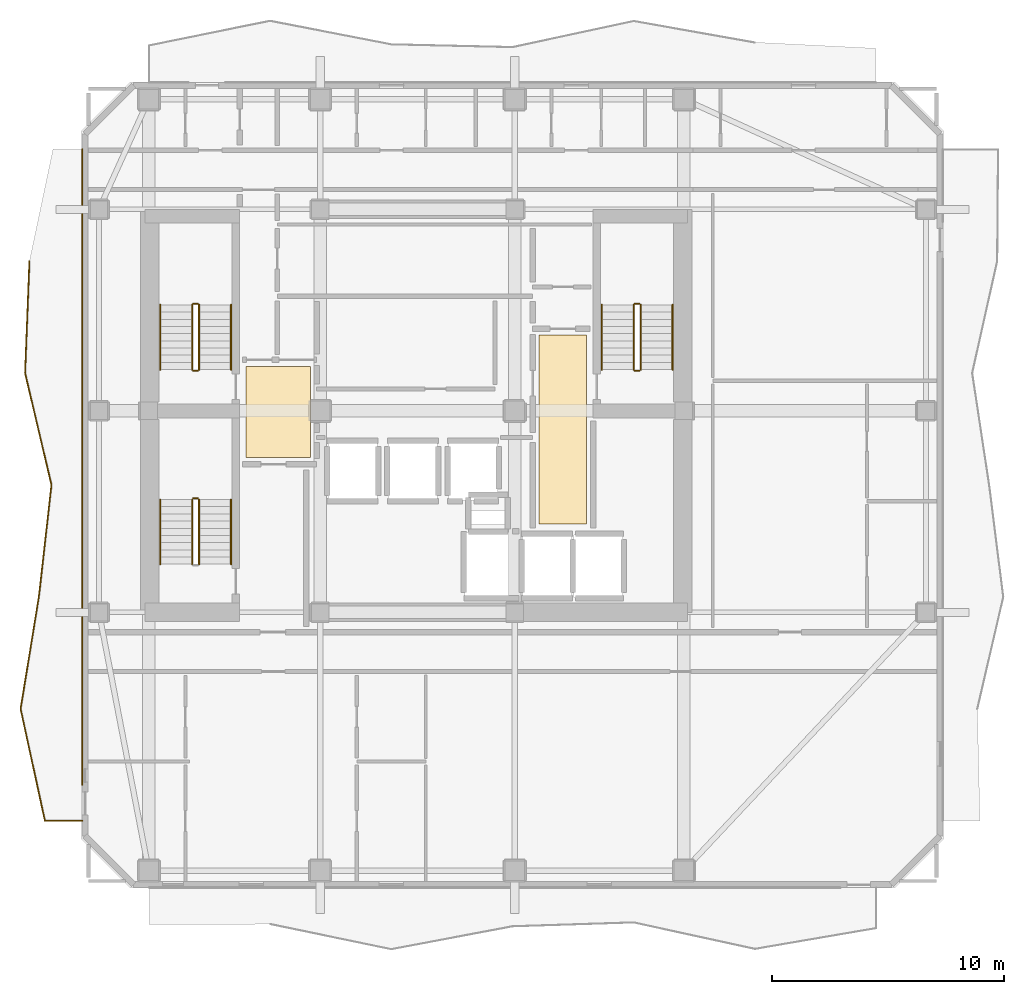
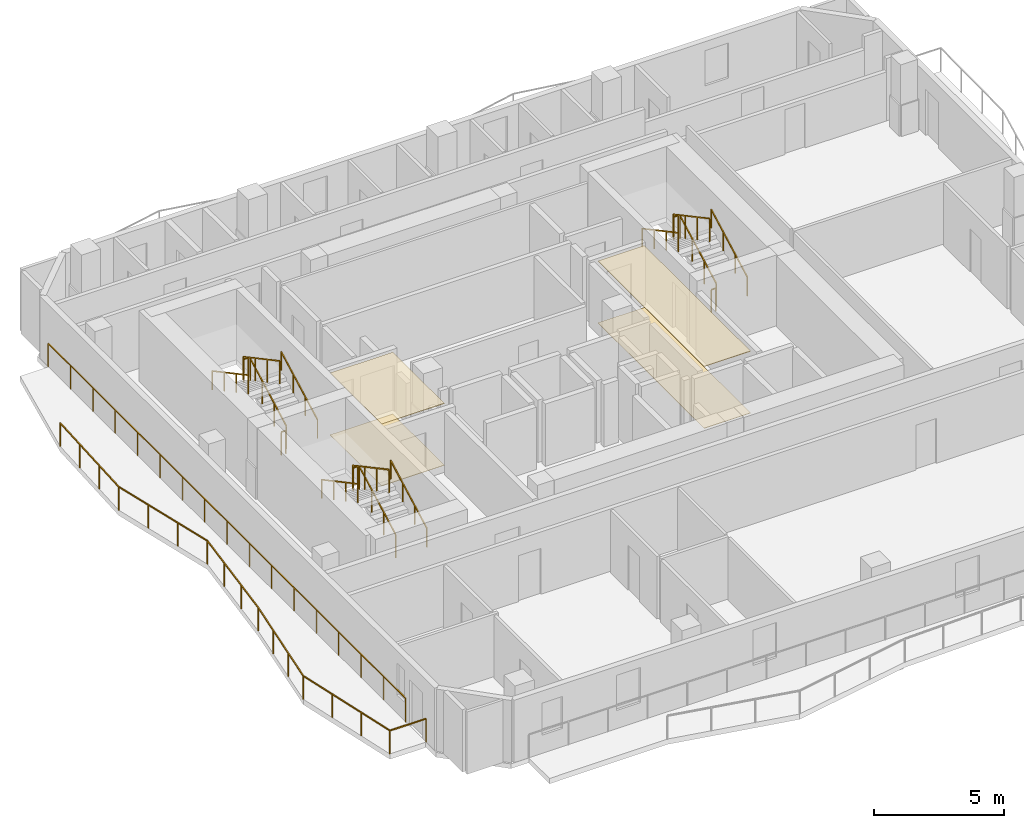
# One storey, part 8 of 9: 19 railings, 4 coverings.
"""IFC4 building model written with IfcOpenShell, lengths in metres."""

from ifc_helpers import new_model, si_unit, direction, frame, origin, origin_2d, place, context, subcontext, project, spatial, polyline, rectangle, outline, extrude, material, layer, layer_set, type_object, element, save


model = new_model("IFC4")

# Units and contexts
model_context = context("Model", 3, precision=1e-05, world=origin(), true_north=direction((0.0, 1.0)))
body_context = subcontext(model_context, "Body", "Model", "MODEL_VIEW")
ifc_project = project(units=[si_unit("LENGTHUNIT", "METRE"), si_unit("AREAUNIT", "SQUARE_METRE"), si_unit("VOLUMEUNIT", "CUBIC_METRE"), si_unit("PLANEANGLEUNIT", "RADIAN"), si_unit("MASSUNIT", "GRAM", prefix="KILO")], contexts=[model_context])

# Site, building, storey
site_placement = place(None, origin())
site = spatial("IfcSite", under=ifc_project, at=site_placement, CompositionType="ELEMENT")
building_placement = place(site_placement, origin())
building = spatial("IfcBuilding", under=site, at=building_placement, Name="Solanera Arch Residences", CompositionType="ELEMENT")
storey_placement = place(building_placement, frame((0.0, 0.0, 223.360107421875)))
storey = spatial("IfcBuildingStorey", under=building, at=storey_placement, Name="L65", CompositionType="ELEMENT", Elevation=223.360107421875)

# Railings
ifc_material_1 = material(Name="Steel S355 (ASTM A992 / A572 Grade 50)", Category="steel")
railing_type_1 = type_object("IfcRailingType", Name="Balustrade Railing BL-1100", PredefinedType="BALUSTRADE", material=ifc_material_1)
railing_1_placement = place(storey_placement, frame((8.24609375, 37.1669921875, 0.0)))
element("IfcRailing", 1, at=railing_1_placement, inside=storey, type_object=railing_type_1, Name="L65 W Balcony Balustrade 1", PredefinedType="BALUSTRADE", context=body_context, shape_type="SweptSolid", body=[
    extrude(rectangle(XDim=0.048095703125, YDim=0.048095703125, at=origin_2d()), frame((0.0, 0.0, 1.09619140625), z_axis=(-0.03885951548, -0.999244683777, 0.0), x_axis=(0.999244683777, -0.03885951548, 0.0)), (0.0, 0.0, 1.0), 4.837646484375),
    extrude(rectangle(XDim=0.048095703125, YDim=0.048095703125, at=origin_2d()), frame((-0.18798828125, -4.833984375, 1.09619140625), z_axis=(0.229370925513, -0.973339087127, 0.0), x_axis=(0.973339087127, 0.229370925513, 0.0)), (0.0, 0.0, 1.0), 4.96533203125),
    extrude(rectangle(XDim=0.048095703125, YDim=0.048095703125, at=origin_2d()), frame((0.950927734375, -9.6669921875, 1.09619140625), z_axis=(-0.111841865337, -0.993726017149, 0.0), x_axis=(0.993726017149, -0.111841865337, 0.0)), (0.0, 0.0, 1.0), 4.863525390625),
    extrude(rectangle(XDim=0.048095703125, YDim=0.048095703125, at=origin_2d()), frame((0.406982421875, -14.5, 1.09619140625), z_axis=(-0.161100191915, -0.986938056904, 0.0), x_axis=(0.986938056904, -0.161100191915, 0.0)), (0.0, 0.0, 1.0), 4.89794921875),
    extrude(rectangle(XDim=0.048095703125, YDim=0.048095703125, at=origin_2d()), frame((-0.382080078125, -19.333984375, 1.09619140625), z_axis=(0.212501369442, -0.977160768751, 0.0), x_axis=(0.977160768751, 0.212501369442, 0.0)), (0.0, 0.0, 1.0), 4.946044921875),
    extrude(rectangle(XDim=0.048095703125, YDim=0.048095703125, at=origin_2d()), frame((0.6689453125, -24.1669921875, 1.09619140625), z_axis=(1.0, 0.0, 0.0), x_axis=(0.0, 1.0, 0.0)), (0.0, 0.0, 1.0), 1.60498046875),
    extrude(rectangle(XDim=0.0419921875, YDim=0.0419921875, at=origin_2d()), origin(), (0.0, 0.0, 1.0), 1.072021484375),
    extrude(rectangle(XDim=0.0419921875, YDim=0.0419921875, at=origin_2d()), frame((-0.062744140625, -1.611328125, 0.0)), (0.0, 0.0, 1.0), 1.072021484375),
    extrude(rectangle(XDim=0.0419921875, YDim=0.0419921875, at=origin_2d()), frame((-0.125244140625, -3.22265625, 0.0)), (0.0, 0.0, 1.0), 1.072021484375),
    extrude(rectangle(XDim=0.0419921875, YDim=0.0419921875, at=origin_2d()), frame((-0.18798828125, -4.833984375, 0.0)), (0.0, 0.0, 1.0), 1.072021484375),
    extrude(rectangle(XDim=0.0419921875, YDim=0.0419921875, at=origin_2d()), frame((0.191650390625, -6.445068359375, 0.0)), (0.0, 0.0, 1.0), 1.072021484375),
    extrude(rectangle(XDim=0.0419921875, YDim=0.0419921875, at=origin_2d()), frame((0.5712890625, -8.055908203125, 0.0)), (0.0, 0.0, 1.0), 1.072021484375),
    extrude(rectangle(XDim=0.0419921875, YDim=0.0419921875, at=origin_2d()), frame((0.950927734375, -9.6669921875, 0.0)), (0.0, 0.0, 1.0), 1.072021484375),
    extrude(rectangle(XDim=0.0419921875, YDim=0.0419921875, at=origin_2d()), frame((0.76953125, -11.278076171875, 0.0)), (0.0, 0.0, 1.0), 1.072021484375),
    extrude(rectangle(XDim=0.0419921875, YDim=0.0419921875, at=origin_2d()), frame((0.58837890625, -12.888916015625, 0.0)), (0.0, 0.0, 1.0), 1.072021484375),
    extrude(rectangle(XDim=0.0419921875, YDim=0.0419921875, at=origin_2d()), frame((0.406982421875, -14.5, 0.0)), (0.0, 0.0, 1.0), 1.072021484375),
    extrude(rectangle(XDim=0.0419921875, YDim=0.0419921875, at=origin_2d()), frame((0.14404296875, -16.111328125, 0.0)), (0.0, 0.0, 1.0), 1.072021484375),
    extrude(rectangle(XDim=0.0419921875, YDim=0.0419921875, at=origin_2d()), frame((-0.119140625, -17.72265625, 0.0)), (0.0, 0.0, 1.0), 1.072021484375),
    extrude(rectangle(XDim=0.0419921875, YDim=0.0419921875, at=origin_2d()), frame((-0.382080078125, -19.333984375, 0.0)), (0.0, 0.0, 1.0), 1.072021484375),
    extrude(rectangle(XDim=0.0419921875, YDim=0.0419921875, at=origin_2d()), frame((-0.03173828125, -20.945068359375, 0.0)), (0.0, 0.0, 1.0), 1.072021484375),
    extrude(rectangle(XDim=0.0419921875, YDim=0.0419921875, at=origin_2d()), frame((0.318603515625, -22.555908203125, 0.0)), (0.0, 0.0, 1.0), 1.072021484375),
    extrude(rectangle(XDim=0.0419921875, YDim=0.0419921875, at=origin_2d()), frame((0.6689453125, -24.1669921875, 0.0)), (0.0, 0.0, 1.0), 1.072021484375),
    extrude(rectangle(XDim=0.0419921875, YDim=0.0419921875, at=origin_2d()), frame((2.27392578125, -24.1669921875, 0.0)), (0.0, 0.0, 1.0), 1.072021484375),
])
railing_2_placement = place(storey_placement, frame((10.52001953125, 14.554931640625, 0.0)))
element("IfcRailing", 2, at=railing_2_placement, inside=storey, type_object=railing_type_1, Name="L65 W Balcony Balustrade 2", PredefinedType="BALUSTRADE", context=body_context, shape_type="SweptSolid", body=[
    extrude(rectangle(XDim=0.048095703125, YDim=0.048095703125, at=origin_2d()), frame((0.0, 0.0, 1.09619140625), z_axis=(0.0, 1.0, 0.0), x_axis=(-1.0, 0.0, 0.0)), (0.0, 0.0, 1.0), 27.445068359375),
    extrude(rectangle(XDim=0.0419921875, YDim=0.0419921875, at=origin_2d()), origin(), (0.0, 0.0, 1.0), 1.072021484375),
    extrude(rectangle(XDim=0.0419921875, YDim=0.0419921875, at=origin_2d()), frame((0.0, 1.71533203125, 0.0)), (0.0, 0.0, 1.0), 1.072021484375),
    extrude(rectangle(XDim=0.0419921875, YDim=0.0419921875, at=origin_2d()), frame((0.0, 3.4306640625, 0.0)), (0.0, 0.0, 1.0), 1.072021484375),
    extrude(rectangle(XDim=0.0419921875, YDim=0.0419921875, at=origin_2d()), frame((0.0, 5.14599609375, 0.0)), (0.0, 0.0, 1.0), 1.072021484375),
    extrude(rectangle(XDim=0.0419921875, YDim=0.0419921875, at=origin_2d()), frame((0.0, 6.861328125, 0.0)), (0.0, 0.0, 1.0), 1.072021484375),
    extrude(rectangle(XDim=0.0419921875, YDim=0.0419921875, at=origin_2d()), frame((0.0, 8.57666015625, 0.0)), (0.0, 0.0, 1.0), 1.072021484375),
    extrude(rectangle(XDim=0.0419921875, YDim=0.0419921875, at=origin_2d()), frame((0.0, 10.2919921875, 0.0)), (0.0, 0.0, 1.0), 1.072021484375),
    extrude(rectangle(XDim=0.0419921875, YDim=0.0419921875, at=origin_2d()), frame((0.0, 12.00732421875, 0.0)), (0.0, 0.0, 1.0), 1.072021484375),
    extrude(rectangle(XDim=0.0419921875, YDim=0.0419921875, at=origin_2d()), frame((0.0, 13.72265625, 0.0)), (0.0, 0.0, 1.0), 1.072021484375),
    extrude(rectangle(XDim=0.0419921875, YDim=0.0419921875, at=origin_2d()), frame((0.0, 15.437744140625, 0.0)), (0.0, 0.0, 1.0), 1.072021484375),
    extrude(rectangle(XDim=0.0419921875, YDim=0.0419921875, at=origin_2d()), frame((0.0, 17.153076171875, 0.0)), (0.0, 0.0, 1.0), 1.072021484375),
    extrude(rectangle(XDim=0.0419921875, YDim=0.0419921875, at=origin_2d()), frame((0.0, 18.868408203125, 0.0)), (0.0, 0.0, 1.0), 1.072021484375),
    extrude(rectangle(XDim=0.0419921875, YDim=0.0419921875, at=origin_2d()), frame((0.0, 20.583740234375, 0.0)), (0.0, 0.0, 1.0), 1.072021484375),
    extrude(rectangle(XDim=0.0419921875, YDim=0.0419921875, at=origin_2d()), frame((0.0, 22.299072265625, 0.0)), (0.0, 0.0, 1.0), 1.072021484375),
    extrude(rectangle(XDim=0.0419921875, YDim=0.0419921875, at=origin_2d()), frame((0.0, 24.014404296875, 0.0)), (0.0, 0.0, 1.0), 1.072021484375),
    extrude(rectangle(XDim=0.0419921875, YDim=0.0419921875, at=origin_2d()), frame((0.0, 25.729736328125, 0.0)), (0.0, 0.0, 1.0), 1.072021484375),
    extrude(rectangle(XDim=0.0419921875, YDim=0.0419921875, at=origin_2d()), frame((0.0, 27.445068359375, 0.0)), (0.0, 0.0, 1.0), 1.072021484375),
])

# Coverings
ifc_material_2 = material(Name="Porcelain Acoustic Floor Tile", Category="ceramic")
ifc_layer_1 = layer(ifc_material_2, 0.02001953125)
ifc_layer_set_1 = layer_set([ifc_layer_1], Name="Porcelain Acoustic Floor Tile")
covering_type_1 = type_object("IfcCoveringType", Name="Porcelain Acoustic Floor Finish FLR-20", PredefinedType="FLOORING", material=ifc_layer_set_1)
covering_1_placement = place(storey_placement, origin())
element("IfcCovering", 3, at=covering_1_placement, inside=storey, type_object=covering_type_1, Name="L65-FFL-W Porcelain Floor Finish", PredefinedType="FLOORING", context=body_context, shape_type="SweptSolid", body=[
    extrude(outline(polyline([(20.375, 28.675048828125), (17.594970703125, 28.675048828125), (17.594970703125, 32.625), (20.375, 32.625), (20.375, 28.675048828125)])), origin(), (0.0, 0.0, 1.0), 0.019775390625),
])
covering_2_placement = place(storey_placement, origin())
element("IfcCovering", 4, at=covering_2_placement, inside=storey, type_object=covering_type_1, Name="L65-FFL-E Porcelain Floor Finish", PredefinedType="FLOORING", context=body_context, shape_type="SweptSolid", body=[
    extrude(outline(polyline([(32.304931640625, 25.824951171875), (30.25, 25.824951171875), (30.25, 33.97509765625), (32.304931640625, 33.97509765625), (32.304931640625, 25.824951171875)])), origin(), (0.0, 0.0, 1.0), 0.019775390625),
])

# Railings
ifc_material_3 = material(Name="Steel S355 (ASTM A992 / A572 Grade 50)", Category="steel")
railing_type_2 = type_object("IfcRailingType", Name="Stair Guardrail GR-1100", PredefinedType="GUARDRAIL", material=ifc_material_3)
railing_3_placement = place(storey_placement, frame((15.570068359375, 32.47998046875, 0.15087890625)))
element("IfcRailing", 5, at=railing_3_placement, inside=storey, type_object=railing_type_2, Name="L65 ST-T1 stair guard 1", PredefinedType="GUARDRAIL", context=body_context, shape_type="SweptSolid", body=[
    extrude(rectangle(XDim=0.048095703125, YDim=0.048095703125, at=origin_2d()), frame((0.0, 0.0, 1.076171875), z_axis=(0.0, 0.881580869306, 0.472033018838), x_axis=(-1.0, 0.0, 0.0)), (0.0, 0.0, 1.0), 3.164794921875),
    extrude(rectangle(XDim=0.0419921875, YDim=0.0419921875, at=origin_2d()), origin(), (0.0, 0.0, 1.0), 1.052001953125),
    extrude(rectangle(XDim=0.0419921875, YDim=0.0419921875, at=origin_2d()), frame((0.0, 0.929931640625, 0.498046875)), (0.0, 0.0, 1.0), 1.052001953125),
    extrude(rectangle(XDim=0.0419921875, YDim=0.0419921875, at=origin_2d()), frame((0.0, 1.860107421875, 0.995849609375)), (0.0, 0.0, 1.0), 1.052001953125),
    extrude(rectangle(XDim=0.0419921875, YDim=0.0419921875, at=origin_2d()), frame((0.0, 2.7900390625, 1.493896484375)), (0.0, 0.0, 1.0), 1.052001953125),
])
railing_4_placement = place(storey_placement, frame((15.52001953125, 35.320068359375, 1.644775390625)))
element("IfcRailing", 6, at=railing_4_placement, inside=storey, type_object=railing_type_2, Name="L65 ST-T1 stair guard 2", PredefinedType="GUARDRAIL", context=body_context, shape_type="SweptSolid", body=[
    extrude(rectangle(XDim=0.048095703125, YDim=0.048095703125, at=origin_2d()), frame((0.0, 0.0, 1.076171875), z_axis=(-1.0, 0.0, 0.0), x_axis=(0.0, -1.0, 0.0)), (0.0, 0.0, 1.0), 0.199951171875),
    extrude(rectangle(XDim=0.0419921875, YDim=0.0419921875, at=origin_2d()), origin(), (0.0, 0.0, 1.0), 1.052001953125),
    extrude(rectangle(XDim=0.0419921875, YDim=0.0419921875, at=origin_2d()), frame((-0.199951171875, 0.0, 0.0)), (0.0, 0.0, 1.0), 1.052001953125),
])
railing_5_placement = place(storey_placement, frame((15.27001953125, 35.27001953125, 1.810791015625)))
element("IfcRailing", 7, at=railing_5_placement, inside=storey, type_object=railing_type_2, Name="L65 ST-T1 stair guard 3", PredefinedType="GUARDRAIL", context=body_context, shape_type="SweptSolid", body=[
    extrude(rectangle(XDim=0.048095703125, YDim=0.048095703125, at=origin_2d()), frame((0.0, 0.0, 1.076171875), z_axis=(0.0, -0.881548766853, 0.472092969298), x_axis=(1.0, 0.0, 0.0)), (0.0, 0.0, 1.0), 3.1650390625),
    extrude(rectangle(XDim=0.0419921875, YDim=0.0419921875, at=origin_2d()), origin(), (0.0, 0.0, 1.0), 1.052001953125),
    extrude(rectangle(XDim=0.0419921875, YDim=0.0419921875, at=origin_2d()), frame((0.0, -0.929931640625, 0.498046875)), (0.0, 0.0, 1.0), 1.052001953125),
    extrude(rectangle(XDim=0.0419921875, YDim=0.0419921875, at=origin_2d()), frame((0.0, -1.860107421875, 0.99609375)), (0.0, 0.0, 1.0), 1.052001953125),
    extrude(rectangle(XDim=0.0419921875, YDim=0.0419921875, at=origin_2d()), frame((0.0, -2.7900390625, 1.494140625)), (0.0, 0.0, 1.0), 1.052001953125),
])
railing_6_placement = place(storey_placement, frame((15.52001953125, 32.429931640625, -0.01513671875)))
element("IfcRailing", 8, at=railing_6_placement, inside=storey, type_object=railing_type_2, Name="L65 ST-T1 stair guard 4", PredefinedType="GUARDRAIL", context=body_context, shape_type="SweptSolid", body=[
    extrude(rectangle(XDim=0.048095703125, YDim=0.048095703125, at=origin_2d()), frame((0.0, 0.0, 1.076171875), z_axis=(-1.0, 0.0, 0.0), x_axis=(0.0, -1.0, 0.0)), (0.0, 0.0, 1.0), 0.199951171875),
    extrude(rectangle(XDim=0.0419921875, YDim=0.0419921875, at=origin_2d()), origin(), (0.0, 0.0, 1.0), 1.052001953125),
    extrude(rectangle(XDim=0.0419921875, YDim=0.0419921875, at=origin_2d()), frame((-0.199951171875, 0.0, 0.0)), (0.0, 0.0, 1.0), 1.052001953125),
])
railing_7_placement = place(storey_placement, frame((34.6298828125, 32.47998046875, 0.15087890625)))
element("IfcRailing", 9, at=railing_7_placement, inside=storey, type_object=railing_type_2, Name="L65 ST-T2 stair guard 1", PredefinedType="GUARDRAIL", context=body_context, shape_type="SweptSolid", body=[
    extrude(rectangle(XDim=0.048095703125, YDim=0.048095703125, at=origin_2d()), frame((0.0, 0.0, 1.076171875), z_axis=(0.0, 0.881580869306, 0.472033018838), x_axis=(-1.0, 0.0, 0.0)), (0.0, 0.0, 1.0), 3.164794921875),
    extrude(rectangle(XDim=0.0419921875, YDim=0.0419921875, at=origin_2d()), origin(), (0.0, 0.0, 1.0), 1.052001953125),
    extrude(rectangle(XDim=0.0419921875, YDim=0.0419921875, at=origin_2d()), frame((0.0, 0.929931640625, 0.498046875)), (0.0, 0.0, 1.0), 1.052001953125),
    extrude(rectangle(XDim=0.0419921875, YDim=0.0419921875, at=origin_2d()), frame((0.0, 1.860107421875, 0.995849609375)), (0.0, 0.0, 1.0), 1.052001953125),
    extrude(rectangle(XDim=0.0419921875, YDim=0.0419921875, at=origin_2d()), frame((0.0, 2.7900390625, 1.493896484375)), (0.0, 0.0, 1.0), 1.052001953125),
])
railing_8_placement = place(storey_placement, frame((34.580078125, 35.320068359375, 1.644775390625)))
element("IfcRailing", 10, at=railing_8_placement, inside=storey, type_object=railing_type_2, Name="L65 ST-T2 stair guard 2", PredefinedType="GUARDRAIL", context=body_context, shape_type="SweptSolid", body=[
    extrude(rectangle(XDim=0.048095703125, YDim=0.048095703125, at=origin_2d()), frame((0.0, 0.0, 1.076171875), z_axis=(-1.0, 0.0, 0.0), x_axis=(0.0, -1.0, 0.0)), (0.0, 0.0, 1.0), 0.2001953125),
    extrude(rectangle(XDim=0.0419921875, YDim=0.0419921875, at=origin_2d()), origin(), (0.0, 0.0, 1.0), 1.052001953125),
    extrude(rectangle(XDim=0.0419921875, YDim=0.0419921875, at=origin_2d()), frame((-0.2001953125, 0.0, 0.0)), (0.0, 0.0, 1.0), 1.052001953125),
])
railing_9_placement = place(storey_placement, frame((34.330078125, 35.27001953125, 1.810791015625)))
element("IfcRailing", 11, at=railing_9_placement, inside=storey, type_object=railing_type_2, Name="L65 ST-T2 stair guard 3", PredefinedType="GUARDRAIL", context=body_context, shape_type="SweptSolid", body=[
    extrude(rectangle(XDim=0.048095703125, YDim=0.048095703125, at=origin_2d()), frame((0.0, 0.0, 1.076171875), z_axis=(0.0, -0.881548766853, 0.472092969298), x_axis=(1.0, 0.0, 0.0)), (0.0, 0.0, 1.0), 3.1650390625),
    extrude(rectangle(XDim=0.0419921875, YDim=0.0419921875, at=origin_2d()), origin(), (0.0, 0.0, 1.0), 1.052001953125),
    extrude(rectangle(XDim=0.0419921875, YDim=0.0419921875, at=origin_2d()), frame((0.0, -0.929931640625, 0.498046875)), (0.0, 0.0, 1.0), 1.052001953125),
    extrude(rectangle(XDim=0.0419921875, YDim=0.0419921875, at=origin_2d()), frame((0.0, -1.860107421875, 0.99609375)), (0.0, 0.0, 1.0), 1.052001953125),
    extrude(rectangle(XDim=0.0419921875, YDim=0.0419921875, at=origin_2d()), frame((0.0, -2.7900390625, 1.494140625)), (0.0, 0.0, 1.0), 1.052001953125),
])
railing_10_placement = place(storey_placement, frame((34.580078125, 32.429931640625, -0.01513671875)))
element("IfcRailing", 12, at=railing_10_placement, inside=storey, type_object=railing_type_2, Name="L65 ST-T2 stair guard 4", PredefinedType="GUARDRAIL", context=body_context, shape_type="SweptSolid", body=[
    extrude(rectangle(XDim=0.048095703125, YDim=0.048095703125, at=origin_2d()), frame((0.0, 0.0, 1.076171875), z_axis=(-1.0, 0.0, 0.0), x_axis=(0.0, -1.0, 0.0)), (0.0, 0.0, 1.0), 0.2001953125),
    extrude(rectangle(XDim=0.0419921875, YDim=0.0419921875, at=origin_2d()), origin(), (0.0, 0.0, 1.0), 1.052001953125),
    extrude(rectangle(XDim=0.0419921875, YDim=0.0419921875, at=origin_2d()), frame((-0.2001953125, 0.0, 0.0)), (0.0, 0.0, 1.0), 1.052001953125),
])
railing_11_placement = place(storey_placement, frame((15.570068359375, 24.080078125, 0.15087890625)))
element("IfcRailing", 13, at=railing_11_placement, inside=storey, type_object=railing_type_2, Name="L65 ST-T3 stair guard 1", PredefinedType="GUARDRAIL", context=body_context, shape_type="SweptSolid", body=[
    extrude(rectangle(XDim=0.048095703125, YDim=0.048095703125, at=origin_2d()), frame((0.0, 0.0, 1.076171875), z_axis=(0.0, 0.881580869306, 0.472033018838), x_axis=(-1.0, 0.0, 0.0)), (0.0, 0.0, 1.0), 3.164794921875),
    extrude(rectangle(XDim=0.0419921875, YDim=0.0419921875, at=origin_2d()), origin(), (0.0, 0.0, 1.0), 1.052001953125),
    extrude(rectangle(XDim=0.0419921875, YDim=0.0419921875, at=origin_2d()), frame((0.0, 0.929931640625, 0.498046875)), (0.0, 0.0, 1.0), 1.052001953125),
    extrude(rectangle(XDim=0.0419921875, YDim=0.0419921875, at=origin_2d()), frame((0.0, 1.860107421875, 0.995849609375)), (0.0, 0.0, 1.0), 1.052001953125),
    extrude(rectangle(XDim=0.0419921875, YDim=0.0419921875, at=origin_2d()), frame((0.0, 2.7900390625, 1.493896484375)), (0.0, 0.0, 1.0), 1.052001953125),
])
railing_12_placement = place(storey_placement, frame((15.52001953125, 26.919921875, 1.644775390625)))
element("IfcRailing", 14, at=railing_12_placement, inside=storey, type_object=railing_type_2, Name="L65 ST-T3 stair guard 2", PredefinedType="GUARDRAIL", context=body_context, shape_type="SweptSolid", body=[
    extrude(rectangle(XDim=0.048095703125, YDim=0.048095703125, at=origin_2d()), frame((0.0, 0.0, 1.076171875), z_axis=(-1.0, 0.0, 0.0), x_axis=(0.0, -1.0, 0.0)), (0.0, 0.0, 1.0), 0.199951171875),
    extrude(rectangle(XDim=0.0419921875, YDim=0.0419921875, at=origin_2d()), origin(), (0.0, 0.0, 1.0), 1.052001953125),
    extrude(rectangle(XDim=0.0419921875, YDim=0.0419921875, at=origin_2d()), frame((-0.199951171875, 0.0, 0.0)), (0.0, 0.0, 1.0), 1.052001953125),
])
railing_13_placement = place(storey_placement, frame((15.27001953125, 26.8701171875, 1.810791015625)))
element("IfcRailing", 15, at=railing_13_placement, inside=storey, type_object=railing_type_2, Name="L65 ST-T3 stair guard 3", PredefinedType="GUARDRAIL", context=body_context, shape_type="SweptSolid", body=[
    extrude(rectangle(XDim=0.048095703125, YDim=0.048095703125, at=origin_2d()), frame((0.0, 0.0, 1.076171875), z_axis=(0.0, -0.881548766853, 0.472092969298), x_axis=(1.0, 0.0, 0.0)), (0.0, 0.0, 1.0), 3.1650390625),
    extrude(rectangle(XDim=0.0419921875, YDim=0.0419921875, at=origin_2d()), origin(), (0.0, 0.0, 1.0), 1.052001953125),
    extrude(rectangle(XDim=0.0419921875, YDim=0.0419921875, at=origin_2d()), frame((0.0, -0.929931640625, 0.498046875)), (0.0, 0.0, 1.0), 1.052001953125),
    extrude(rectangle(XDim=0.0419921875, YDim=0.0419921875, at=origin_2d()), frame((0.0, -1.860107421875, 0.99609375)), (0.0, 0.0, 1.0), 1.052001953125),
    extrude(rectangle(XDim=0.0419921875, YDim=0.0419921875, at=origin_2d()), frame((0.0, -2.7900390625, 1.494140625)), (0.0, 0.0, 1.0), 1.052001953125),
])
ifc_material_4 = material(Name="Steel S355 (ASTM A992 / A572 Grade 50)", Category="steel")
railing_type_3 = type_object("IfcRailingType", Name="Stair Wall Handrail HR-920", PredefinedType="HANDRAIL", material=ifc_material_4)
railing_14_placement = place(storey_placement, frame((16.949951171875, 32.47998046875, 0.165771484375)))
element("IfcRailing", 16, at=railing_14_placement, inside=storey, type_object=railing_type_3, Name="L65 ST-T1 stair handrail 1", PredefinedType="HANDRAIL", context=body_context, shape_type="SweptSolid", body=[
    extrude(rectangle(XDim=0.048095703125, YDim=0.048095703125, at=origin_2d()), frame((0.0, 0.0, 0.8759765625), z_axis=(0.0, 0.881548766853, 0.472092969298), x_axis=(-1.0, 0.0, 0.0)), (0.0, 0.0, 1.0), 3.1650390625),
    extrude(rectangle(XDim=0.0419921875, YDim=0.0419921875, at=origin_2d()), origin(), (0.0, 0.0, 1.0), 0.851806640625),
    extrude(rectangle(XDim=0.0419921875, YDim=0.0419921875, at=origin_2d()), frame((0.0, 0.929931640625, 0.498046875)), (0.0, 0.0, 1.0), 0.851806640625),
    extrude(rectangle(XDim=0.0419921875, YDim=0.0419921875, at=origin_2d()), frame((0.0, 1.860107421875, 0.99609375)), (0.0, 0.0, 1.0), 0.851806640625),
    extrude(rectangle(XDim=0.0419921875, YDim=0.0419921875, at=origin_2d()), frame((0.0, 2.7900390625, 1.494140625)), (0.0, 0.0, 1.0), 0.851806640625),
])
railing_15_placement = place(storey_placement, frame((13.889892578125, 35.27001953125, 1.825927734375)))
element("IfcRailing", 17, at=railing_15_placement, inside=storey, type_object=railing_type_3, Name="L65 ST-T1 stair handrail 2", PredefinedType="HANDRAIL", context=body_context, shape_type="SweptSolid", body=[
    extrude(rectangle(XDim=0.048095703125, YDim=0.048095703125, at=origin_2d()), frame((0.0, 0.0, 0.8759765625), z_axis=(0.0, -0.881580869306, 0.472033018838), x_axis=(1.0, 0.0, 0.0)), (0.0, 0.0, 1.0), 3.164794921875),
    extrude(rectangle(XDim=0.0419921875, YDim=0.0419921875, at=origin_2d()), origin(), (0.0, 0.0, 1.0), 0.851806640625),
    extrude(rectangle(XDim=0.0419921875, YDim=0.0419921875, at=origin_2d()), frame((0.0, -0.929931640625, 0.498046875)), (0.0, 0.0, 1.0), 0.851806640625),
    extrude(rectangle(XDim=0.0419921875, YDim=0.0419921875, at=origin_2d()), frame((0.0, -1.860107421875, 0.995849609375)), (0.0, 0.0, 1.0), 0.851806640625),
    extrude(rectangle(XDim=0.0419921875, YDim=0.0419921875, at=origin_2d()), frame((0.0, -2.7900390625, 1.493896484375)), (0.0, 0.0, 1.0), 0.851806640625),
])
railing_16_placement = place(storey_placement, frame((36.010009765625, 32.47998046875, 0.165771484375)))
element("IfcRailing", 18, at=railing_16_placement, inside=storey, type_object=railing_type_3, Name="L65 ST-T2 stair handrail 1", PredefinedType="HANDRAIL", context=body_context, shape_type="SweptSolid", body=[
    extrude(rectangle(XDim=0.048095703125, YDim=0.048095703125, at=origin_2d()), frame((0.0, 0.0, 0.8759765625), z_axis=(0.0, 0.881548766853, 0.472092969298), x_axis=(-1.0, 0.0, 0.0)), (0.0, 0.0, 1.0), 3.1650390625),
    extrude(rectangle(XDim=0.0419921875, YDim=0.0419921875, at=origin_2d()), origin(), (0.0, 0.0, 1.0), 0.851806640625),
    extrude(rectangle(XDim=0.0419921875, YDim=0.0419921875, at=origin_2d()), frame((0.0, 0.929931640625, 0.498046875)), (0.0, 0.0, 1.0), 0.851806640625),
    extrude(rectangle(XDim=0.0419921875, YDim=0.0419921875, at=origin_2d()), frame((0.0, 1.860107421875, 0.99609375)), (0.0, 0.0, 1.0), 0.851806640625),
    extrude(rectangle(XDim=0.0419921875, YDim=0.0419921875, at=origin_2d()), frame((0.0, 2.7900390625, 1.494140625)), (0.0, 0.0, 1.0), 0.851806640625),
])
railing_17_placement = place(storey_placement, frame((32.949951171875, 35.27001953125, 1.825927734375)))
element("IfcRailing", 19, at=railing_17_placement, inside=storey, type_object=railing_type_3, Name="L65 ST-T2 stair handrail 2", PredefinedType="HANDRAIL", context=body_context, shape_type="SweptSolid", body=[
    extrude(rectangle(XDim=0.048095703125, YDim=0.048095703125, at=origin_2d()), frame((0.0, 0.0, 0.8759765625), z_axis=(0.0, -0.881580869306, 0.472033018838), x_axis=(1.0, 0.0, 0.0)), (0.0, 0.0, 1.0), 3.164794921875),
    extrude(rectangle(XDim=0.0419921875, YDim=0.0419921875, at=origin_2d()), origin(), (0.0, 0.0, 1.0), 0.851806640625),
    extrude(rectangle(XDim=0.0419921875, YDim=0.0419921875, at=origin_2d()), frame((0.0, -0.929931640625, 0.498046875)), (0.0, 0.0, 1.0), 0.851806640625),
    extrude(rectangle(XDim=0.0419921875, YDim=0.0419921875, at=origin_2d()), frame((0.0, -1.860107421875, 0.995849609375)), (0.0, 0.0, 1.0), 0.851806640625),
    extrude(rectangle(XDim=0.0419921875, YDim=0.0419921875, at=origin_2d()), frame((0.0, -2.7900390625, 1.493896484375)), (0.0, 0.0, 1.0), 0.851806640625),
])
railing_18_placement = place(storey_placement, frame((16.949951171875, 24.080078125, 0.165771484375)))
element("IfcRailing", 20, at=railing_18_placement, inside=storey, type_object=railing_type_3, Name="L65 ST-T3 stair handrail 1", PredefinedType="HANDRAIL", context=body_context, shape_type="SweptSolid", body=[
    extrude(rectangle(XDim=0.048095703125, YDim=0.048095703125, at=origin_2d()), frame((0.0, 0.0, 0.8759765625), z_axis=(0.0, 0.881548766853, 0.472092969298), x_axis=(-1.0, 0.0, 0.0)), (0.0, 0.0, 1.0), 3.1650390625),
    extrude(rectangle(XDim=0.0419921875, YDim=0.0419921875, at=origin_2d()), origin(), (0.0, 0.0, 1.0), 0.851806640625),
    extrude(rectangle(XDim=0.0419921875, YDim=0.0419921875, at=origin_2d()), frame((0.0, 0.929931640625, 0.498046875)), (0.0, 0.0, 1.0), 0.851806640625),
    extrude(rectangle(XDim=0.0419921875, YDim=0.0419921875, at=origin_2d()), frame((0.0, 1.860107421875, 0.99609375)), (0.0, 0.0, 1.0), 0.851806640625),
    extrude(rectangle(XDim=0.0419921875, YDim=0.0419921875, at=origin_2d()), frame((0.0, 2.7900390625, 1.494140625)), (0.0, 0.0, 1.0), 0.851806640625),
])
railing_19_placement = place(storey_placement, frame((13.889892578125, 26.8701171875, 1.825927734375)))
element("IfcRailing", 21, at=railing_19_placement, inside=storey, type_object=railing_type_3, Name="L65 ST-T3 stair handrail 2", PredefinedType="HANDRAIL", context=body_context, shape_type="SweptSolid", body=[
    extrude(rectangle(XDim=0.048095703125, YDim=0.048095703125, at=origin_2d()), frame((0.0, 0.0, 0.8759765625), z_axis=(0.0, -0.881580869306, 0.472033018838), x_axis=(1.0, 0.0, 0.0)), (0.0, 0.0, 1.0), 3.164794921875),
    extrude(rectangle(XDim=0.0419921875, YDim=0.0419921875, at=origin_2d()), origin(), (0.0, 0.0, 1.0), 0.851806640625),
    extrude(rectangle(XDim=0.0419921875, YDim=0.0419921875, at=origin_2d()), frame((0.0, -0.929931640625, 0.498046875)), (0.0, 0.0, 1.0), 0.851806640625),
    extrude(rectangle(XDim=0.0419921875, YDim=0.0419921875, at=origin_2d()), frame((0.0, -1.860107421875, 0.995849609375)), (0.0, 0.0, 1.0), 0.851806640625),
    extrude(rectangle(XDim=0.0419921875, YDim=0.0419921875, at=origin_2d()), frame((0.0, -2.7900390625, 1.493896484375)), (0.0, 0.0, 1.0), 0.851806640625),
])

# Coverings
ifc_material_5 = material(Name="Mineral Fibre Acoustic Ceiling Board", Category="gypsum")
ifc_layer_2 = layer(ifc_material_5, 0.02490234375)
ifc_layer_set_2 = layer_set([ifc_layer_2], Name="Mineral Fibre Acoustic Ceiling Board")
covering_type_2 = type_object("IfcCoveringType", Name="Suspended Acoustic Ceiling Board CLG-25", PredefinedType="CEILING", material=ifc_layer_set_2)
covering_3_placement = place(storey_placement, frame((0.0, 0.0, 2.894775390625)))
element("IfcCovering", 22, at=covering_3_placement, inside=storey, type_object=covering_type_2, Name="L65-FFL-W Acoustic Ceiling", PredefinedType="CEILING", context=body_context, shape_type="SweptSolid", body=[
    extrude(outline(polyline([(20.375, 28.675048828125), (17.594970703125, 28.675048828125), (17.594970703125, 32.625), (20.375, 32.625), (20.375, 28.675048828125)])), origin(), (0.0, 0.0, 1.0), 0.025146484375),
])
covering_4_placement = place(storey_placement, frame((0.0, 0.0, 2.894775390625)))
element("IfcCovering", 23, at=covering_4_placement, inside=storey, type_object=covering_type_2, Name="L65-FFL-E Acoustic Ceiling", PredefinedType="CEILING", context=body_context, shape_type="SweptSolid", body=[
    extrude(outline(polyline([(32.304931640625, 25.824951171875), (30.25, 25.824951171875), (30.25, 33.97509765625), (32.304931640625, 33.97509765625), (32.304931640625, 25.824951171875)])), origin(), (0.0, 0.0, 1.0), 0.025146484375),
])

save(model, "model.ifc")
